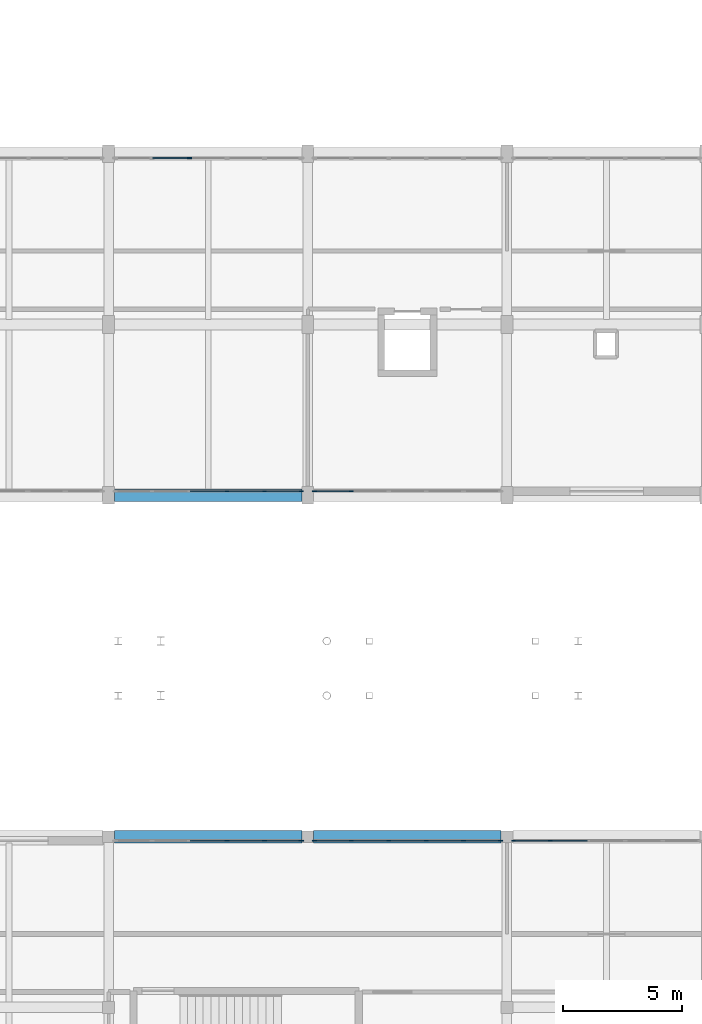
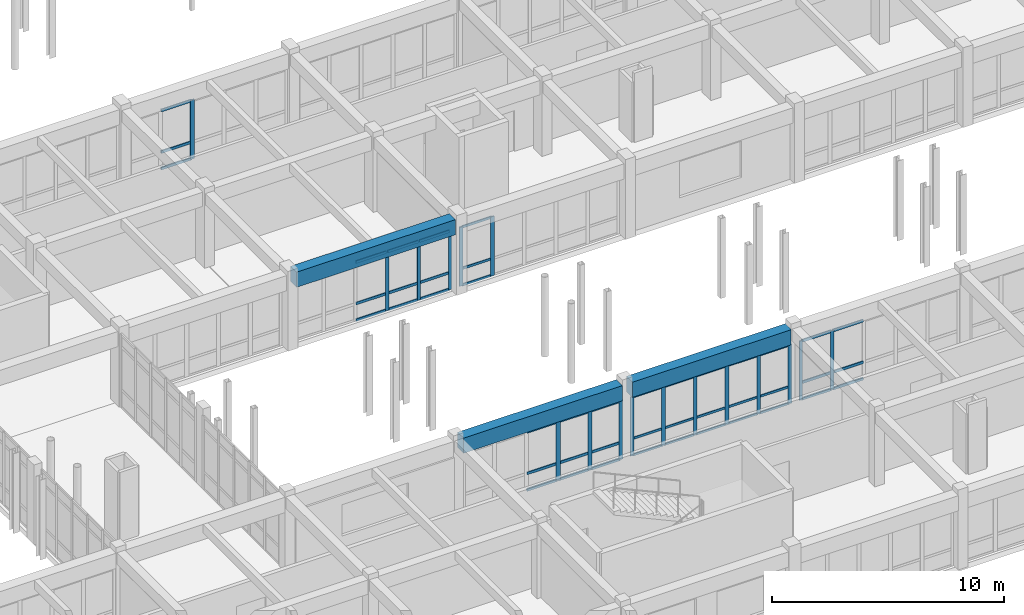
# One storey, part 69 of 147: 62 members, 3 beams, 6 elements without a shape of their own.
"""IFC4 building model written with IfcOpenShell, lengths in metres."""

from ifc_helpers import new_model, si_unit, direction, frame, origin, origin_2d, place, context, subcontext, project, spatial, rectangle, extrude, material, material_profile, profile_set, type_object, element, aggregate, save


model = new_model("IFC4")

# Units and contexts
model_context = context("Model", 3, precision=1e-05, world=origin(), true_north=direction((0.0, 1.0)))
body_context = subcontext(model_context, "Body", "Model", "MODEL_VIEW")
ifc_project = project(units=[si_unit("LENGTHUNIT", "METRE"), si_unit("AREAUNIT", "SQUARE_METRE"), si_unit("VOLUMEUNIT", "CUBIC_METRE"), si_unit("PLANEANGLEUNIT", "RADIAN"), si_unit("MASSUNIT", "GRAM", prefix="KILO")], contexts=[model_context])

# Site, building, storey
site_placement = place(None, origin())
site = spatial("IfcSite", under=ifc_project, at=site_placement, CompositionType="ELEMENT")
building_placement = place(site_placement, origin())
building = spatial("IfcBuilding", under=site, at=building_placement, Name="Malvenik Polytechnic", CompositionType="ELEMENT")
storey_placement = place(building_placement, frame((0.0, 0.0, 5.10009765625)))
storey = spatial("IfcBuildingStorey", under=building, at=storey_placement, Name="L01", CompositionType="ELEMENT", Elevation=5.10009765625)

# Curtain wall, members
ifc_material_1 = material(Name="Anodised aluminium 6060-T6", Category="aluminium")
curtain_wall_type = type_object("IfcCurtainWallType", Name="ARC-CW-CW-02", PredefinedType="NOTDEFINED", material=ifc_material_1)
curtain_wall_1_placement = place(storey_placement, origin())
curtain_wall_1 = element("IfcCurtainWall", 1, at=curtain_wall_1_placement, inside=storey, type_object=curtain_wall_type, Name="Unitised Curtain Wall CW-02 L01 #80", PredefinedType="NOTDEFINED")
ifc_material_2 = material(Name="Anodised aluminium", Category="aluminium")
ifc_material_profile_1 = material_profile(ifc_material_2, rectangle(XDim=0.06005859375, YDim=0.159912109375, at=origin_2d()), Name="ALU MULLION 60x160")
ifc_profile_set_1 = profile_set([ifc_material_profile_1], Name="Anodised aluminium")
member_type_1 = type_object("IfcMemberType", Name="ARC-CWM-160", PredefinedType="MULLION", material=ifc_profile_set_1)
member_1_placement = place(storey_placement, frame((100.52197265625, 79.3701171875, 0.0), z_axis=(0.0, 0.0, 1.0), x_axis=(0.0, -1.0, 0.0)))
member_1 = element("IfcMember", 2, at=member_1_placement, type_object=member_type_1, Name="CW-02 mullion 1", PredefinedType="MULLION", context=body_context, shape_type="SweptSolid", body=[
    extrude(rectangle(XDim=0.06005859375, YDim=0.159912109375, at=origin_2d()), origin(), (0.0, 0.0, 1.0), 3.10986328125),
])
member_2_placement = place(storey_placement, frame((98.97119140625, 79.3701171875, 0.0), z_axis=(0.0, 0.0, 1.0), x_axis=(0.0, -1.0, 0.0)))
member_2 = element("IfcMember", 3, at=member_2_placement, type_object=member_type_1, Name="CW-02 mullion 2", PredefinedType="MULLION", context=body_context, shape_type="SweptSolid", body=[
    extrude(rectangle(XDim=0.06005859375, YDim=0.159912109375, at=origin_2d()), origin(), (0.0, 0.0, 1.0), 3.10986328125),
])
member_3_placement = place(storey_placement, frame((97.390380859375, 79.3701171875, 0.0), z_axis=(0.0, 0.0, 1.0), x_axis=(0.0, -1.0, 0.0)))
member_3 = element("IfcMember", 4, at=member_3_placement, type_object=member_type_1, Name="CW-02 mullion 3", PredefinedType="MULLION", context=body_context, shape_type="SweptSolid", body=[
    extrude(rectangle(XDim=0.06005859375, YDim=0.159912109375, at=origin_2d()), origin(), (0.0, 0.0, 1.0), 3.10986328125),
])

curtain_wall_2_placement = place(storey_placement, origin())
curtain_wall_2 = element("IfcCurtainWall", 5, at=curtain_wall_2_placement, inside=storey, type_object=curtain_wall_type, Name="Unitised Curtain Wall CW-02 L01 #86", PredefinedType="NOTDEFINED")
member_4_placement = place(storey_placement, frame((109.47802734375, 64.6298828125, 0.0), z_axis=(0.0, 0.0, 1.0), x_axis=(0.0, 1.0, 0.0)))
member_4 = element("IfcMember", 6, at=member_4_placement, type_object=member_type_1, Name="CW-02 mullion 1", PredefinedType="MULLION", context=body_context, shape_type="SweptSolid", body=[
    extrude(rectangle(XDim=0.06005859375, YDim=0.159912109375, at=origin_2d()), origin(), (0.0, 0.0, 1.0), 3.10986328125),
])
member_5_placement = place(storey_placement, frame((111.02880859375, 64.6298828125, 0.0), z_axis=(0.0, 0.0, 1.0), x_axis=(0.0, 1.0, 0.0)))
member_5 = element("IfcMember", 7, at=member_5_placement, type_object=member_type_1, Name="CW-02 mullion 2", PredefinedType="MULLION", context=body_context, shape_type="SweptSolid", body=[
    extrude(rectangle(XDim=0.06005859375, YDim=0.159912109375, at=origin_2d()), origin(), (0.0, 0.0, 1.0), 3.10986328125),
])

curtain_wall_3_placement = place(storey_placement, origin())
curtain_wall_3 = element("IfcCurtainWall", 8, at=curtain_wall_3_placement, inside=storey, type_object=curtain_wall_type, Name="Unitised Curtain Wall CW-02 L01 #79", PredefinedType="NOTDEFINED")
ifc_material_profile_2 = material_profile(ifc_material_2, rectangle(XDim=0.06005859375, YDim=0.179931640625, at=origin_2d()), Name="ALU MULLION 60x180")
ifc_profile_set_2 = profile_set([ifc_material_profile_2], Name="Anodised aluminium")
member_type_2 = type_object("IfcMemberType", Name="ARC-CWM-180", PredefinedType="MULLION", material=ifc_profile_set_2)
member_6_placement = place(storey_placement, frame((102.62890625, 79.3701171875, 0.0), z_axis=(0.0, 0.0, 1.0), x_axis=(0.0, -1.0, 0.0)))
member_6 = element("IfcMember", 9, at=member_6_placement, type_object=member_type_2, Name="CW-02 mullion 5", PredefinedType="MULLION", context=body_context, shape_type="SweptSolid", body=[
    extrude(rectangle(XDim=0.06005859375, YDim=0.179931640625, at=origin_2d()), origin(), (0.0, 0.0, 1.0), 3.10986328125),
])
member_7_placement = place(storey_placement, frame((101.077880859375, 79.3701171875, 0.0), z_axis=(0.0, 0.0, 1.0), x_axis=(0.0, -1.0, 0.0)))
member_7 = element("IfcMember", 10, at=member_7_placement, type_object=member_type_2, Name="CW-02 mullion 6", PredefinedType="MULLION", context=body_context, shape_type="SweptSolid", body=[
    extrude(rectangle(XDim=0.06005859375, YDim=0.179931640625, at=origin_2d()), origin(), (0.0, 0.0, 1.0), 3.10986328125),
])

curtain_wall_4_placement = place(storey_placement, origin())
curtain_wall_4 = element("IfcCurtainWall", 11, at=curtain_wall_4_placement, inside=storey, type_object=curtain_wall_type, Name="Unitised Curtain Wall CW-02 L01 #85", PredefinedType="NOTDEFINED")
member_8_placement = place(storey_placement, frame((101.077880859375, 64.6298828125, 0.0), z_axis=(0.0, 0.0, 1.0), x_axis=(0.0, 1.0, 0.0)))
member_8 = element("IfcMember", 12, at=member_8_placement, type_object=member_type_2, Name="CW-02 mullion 1", PredefinedType="MULLION", context=body_context, shape_type="SweptSolid", body=[
    extrude(rectangle(XDim=0.06005859375, YDim=0.179931640625, at=origin_2d()), origin(), (0.0, 0.0, 1.0), 3.10986328125),
])
member_9_placement = place(storey_placement, frame((102.62890625, 64.6298828125, 0.0), z_axis=(0.0, 0.0, 1.0), x_axis=(0.0, 1.0, 0.0)))
member_9 = element("IfcMember", 13, at=member_9_placement, type_object=member_type_2, Name="CW-02 mullion 2", PredefinedType="MULLION", context=body_context, shape_type="SweptSolid", body=[
    extrude(rectangle(XDim=0.06005859375, YDim=0.179931640625, at=origin_2d()), origin(), (0.0, 0.0, 1.0), 3.10986328125),
])
member_10_placement = place(storey_placement, frame((104.209716796875, 64.6298828125, 0.0), z_axis=(0.0, 0.0, 1.0), x_axis=(0.0, 1.0, 0.0)))
member_10 = element("IfcMember", 14, at=member_10_placement, type_object=member_type_2, Name="CW-02 mullion 3", PredefinedType="MULLION", context=body_context, shape_type="SweptSolid", body=[
    extrude(rectangle(XDim=0.06005859375, YDim=0.179931640625, at=origin_2d()), origin(), (0.0, 0.0, 1.0), 3.10986328125),
])
member_11_placement = place(storey_placement, frame((105.790283203125, 64.6298828125, 0.0), z_axis=(0.0, 0.0, 1.0), x_axis=(0.0, 1.0, 0.0)))
member_11 = element("IfcMember", 15, at=member_11_placement, type_object=member_type_2, Name="CW-02 mullion 4", PredefinedType="MULLION", context=body_context, shape_type="SweptSolid", body=[
    extrude(rectangle(XDim=0.06005859375, YDim=0.179931640625, at=origin_2d()), origin(), (0.0, 0.0, 1.0), 3.10986328125),
])
member_12_placement = place(storey_placement, frame((107.37109375, 64.6298828125, 0.0), z_axis=(0.0, 0.0, 1.0), x_axis=(0.0, 1.0, 0.0)))
member_12 = element("IfcMember", 16, at=member_12_placement, type_object=member_type_2, Name="CW-02 mullion 5", PredefinedType="MULLION", context=body_context, shape_type="SweptSolid", body=[
    extrude(rectangle(XDim=0.06005859375, YDim=0.179931640625, at=origin_2d()), origin(), (0.0, 0.0, 1.0), 3.10986328125),
])
member_13_placement = place(storey_placement, frame((108.922119140625, 64.6298828125, 0.0), z_axis=(0.0, 0.0, 1.0), x_axis=(0.0, 1.0, 0.0)))
member_13 = element("IfcMember", 17, at=member_13_placement, type_object=member_type_2, Name="CW-02 mullion 6", PredefinedType="MULLION", context=body_context, shape_type="SweptSolid", body=[
    extrude(rectangle(XDim=0.06005859375, YDim=0.179931640625, at=origin_2d()), origin(), (0.0, 0.0, 1.0), 3.10986328125),
])

# Curtain wall, member
curtain_wall_5_placement = place(storey_placement, origin())
curtain_wall_5 = element("IfcCurtainWall", 18, at=curtain_wall_5_placement, inside=storey, type_object=curtain_wall_type, Name="Unitised Curtain Wall CW-02 L01 #60", PredefinedType="NOTDEFINED")
ifc_material_profile_3 = material_profile(ifc_material_2, rectangle(XDim=0.06005859375, YDim=0.199951171875, at=origin_2d()), Name="ALU MULLION 60x200")
ifc_profile_set_3 = profile_set([ifc_material_profile_3], Name="Anodised aluminium")
member_type_3 = type_object("IfcMemberType", Name="ARC-CWM-200", PredefinedType="MULLION", material=ifc_profile_set_3)
member_14_placement = place(storey_placement, frame((95.8095703125, 93.429931640625, 0.0), z_axis=(0.0, 0.0, 1.0), x_axis=(0.0, 1.0, 0.0)))
member_14 = element("IfcMember", 19, at=member_14_placement, type_object=member_type_3, Name="CW-02 mullion 3", PredefinedType="MULLION", context=body_context, shape_type="SweptSolid", body=[
    extrude(rectangle(XDim=0.06005859375, YDim=0.199951171875, at=origin_2d()), origin(), (0.0, 0.0, 1.0), 3.10986328125),
])

# Curtain wall, members
curtain_wall_6_placement = place(storey_placement, origin())
curtain_wall_6 = element("IfcCurtainWall", 20, at=curtain_wall_6_placement, inside=storey, type_object=curtain_wall_type, Name="Unitised Curtain Wall CW-02 L01 #84", PredefinedType="NOTDEFINED")
member_15_placement = place(storey_placement, frame((97.390380859375, 64.6298828125, 0.0), z_axis=(0.0, 0.0, 1.0), x_axis=(0.0, 1.0, 0.0)))
member_15 = element("IfcMember", 21, at=member_15_placement, type_object=member_type_3, Name="CW-02 mullion 4", PredefinedType="MULLION", context=body_context, shape_type="SweptSolid", body=[
    extrude(rectangle(XDim=0.06005859375, YDim=0.199951171875, at=origin_2d()), origin(), (0.0, 0.0, 1.0), 3.10986328125),
])
member_16_placement = place(storey_placement, frame((98.97119140625, 64.6298828125, 0.0), z_axis=(0.0, 0.0, 1.0), x_axis=(0.0, 1.0, 0.0)))
member_16 = element("IfcMember", 22, at=member_16_placement, type_object=member_type_3, Name="CW-02 mullion 5", PredefinedType="MULLION", context=body_context, shape_type="SweptSolid", body=[
    extrude(rectangle(XDim=0.06005859375, YDim=0.199951171875, at=origin_2d()), origin(), (0.0, 0.0, 1.0), 3.10986328125),
])
member_17_placement = place(storey_placement, frame((100.52197265625, 64.6298828125, 0.0), z_axis=(0.0, 0.0, 1.0), x_axis=(0.0, 1.0, 0.0)))
member_17 = element("IfcMember", 23, at=member_17_placement, type_object=member_type_3, Name="CW-02 mullion 6", PredefinedType="MULLION", context=body_context, shape_type="SweptSolid", body=[
    extrude(rectangle(XDim=0.06005859375, YDim=0.199951171875, at=origin_2d()), origin(), (0.0, 0.0, 1.0), 3.10986328125),
])

# Member
ifc_material_profile_4 = material_profile(ifc_material_2, rectangle(XDim=0.06005859375, YDim=0.1201171875, at=origin_2d()), Name="ALU TRANSOM 60x120")
ifc_profile_set_4 = profile_set([ifc_material_profile_4], Name="Anodised aluminium")
member_type_4 = type_object("IfcMemberType", Name="ARC-CWT-120", PredefinedType="USERDEFINED", material=ifc_profile_set_4)
member_18_placement = place(storey_placement, frame((102.598876953125, 79.3701171875, 0.02978515625), z_axis=(-1.0, 0.0, 0.0), x_axis=(0.0, -1.0, 0.0)))
member_18 = element("IfcMember", 24, at=member_18_placement, type_object=member_type_4, Name="CW-02 transom 5.1", ObjectType="TRANSOM", PredefinedType="USERDEFINED", context=body_context, shape_type="SweptSolid", body=[
    extrude(rectangle(XDim=0.06005859375, YDim=0.1201171875, at=origin_2d()), origin(), (0.0, 0.0, 1.0), 1.490966796875),
])

member_19_placement = place(storey_placement, frame((102.598876953125, 79.3701171875, 0.89990234375), z_axis=(-1.0, 0.0, 0.0), x_axis=(0.0, -1.0, 0.0)))
member_19 = element("IfcMember", 25, at=member_19_placement, type_object=member_type_4, Name="CW-02 transom 5.2", ObjectType="TRANSOM", PredefinedType="USERDEFINED", context=body_context, shape_type="SweptSolid", body=[
    extrude(rectangle(XDim=0.06005859375, YDim=0.1201171875, at=origin_2d()), origin(), (0.0, 0.0, 1.0), 1.490966796875),
])

member_20_placement = place(storey_placement, frame((102.598876953125, 79.3701171875, 3.079833984375), z_axis=(-1.0, 0.0, 0.0), x_axis=(0.0, -1.0, 0.0)))
member_20 = element("IfcMember", 26, at=member_20_placement, type_object=member_type_4, Name="CW-02 transom 5.3", ObjectType="TRANSOM", PredefinedType="USERDEFINED", context=body_context, shape_type="SweptSolid", body=[
    extrude(rectangle(XDim=0.06005859375, YDim=0.1201171875, at=origin_2d()), origin(), (0.0, 0.0, 1.0), 1.490966796875),
])

aggregate(curtain_wall_3, [member_6, member_7, member_18, member_19, member_20])

member_21_placement = place(storey_placement, frame((101.10791015625, 64.6298828125, 0.02978515625), z_axis=(1.0, 0.0, 0.0), x_axis=(0.0, 1.0, 0.0)))
member_21 = element("IfcMember", 27, at=member_21_placement, type_object=member_type_4, Name="CW-02 transom 1.1", ObjectType="TRANSOM", PredefinedType="USERDEFINED", context=body_context, shape_type="SweptSolid", body=[
    extrude(rectangle(XDim=0.06005859375, YDim=0.1201171875, at=origin_2d()), origin(), (0.0, 0.0, 1.0), 1.490966796875),
])

member_22_placement = place(storey_placement, frame((101.10791015625, 64.6298828125, 0.89990234375), z_axis=(1.0, 0.0, 0.0), x_axis=(0.0, 1.0, 0.0)))
member_22 = element("IfcMember", 28, at=member_22_placement, type_object=member_type_4, Name="CW-02 transom 1.2", ObjectType="TRANSOM", PredefinedType="USERDEFINED", context=body_context, shape_type="SweptSolid", body=[
    extrude(rectangle(XDim=0.06005859375, YDim=0.1201171875, at=origin_2d()), origin(), (0.0, 0.0, 1.0), 1.490966796875),
])

member_23_placement = place(storey_placement, frame((101.10791015625, 64.6298828125, 3.079833984375), z_axis=(1.0, 0.0, 0.0), x_axis=(0.0, 1.0, 0.0)))
member_23 = element("IfcMember", 29, at=member_23_placement, type_object=member_type_4, Name="CW-02 transom 1.3", ObjectType="TRANSOM", PredefinedType="USERDEFINED", context=body_context, shape_type="SweptSolid", body=[
    extrude(rectangle(XDim=0.06005859375, YDim=0.1201171875, at=origin_2d()), origin(), (0.0, 0.0, 1.0), 1.490966796875),
])

member_24_placement = place(storey_placement, frame((102.65869140625, 64.6298828125, 0.02978515625), z_axis=(1.0, 0.0, 0.0), x_axis=(0.0, 1.0, 0.0)))
member_24 = element("IfcMember", 30, at=member_24_placement, type_object=member_type_4, Name="CW-02 transom 2.1", ObjectType="TRANSOM", PredefinedType="USERDEFINED", context=body_context, shape_type="SweptSolid", body=[
    extrude(rectangle(XDim=0.06005859375, YDim=0.1201171875, at=origin_2d()), origin(), (0.0, 0.0, 1.0), 1.52099609375),
])

member_25_placement = place(storey_placement, frame((102.65869140625, 64.6298828125, 0.89990234375), z_axis=(1.0, 0.0, 0.0), x_axis=(0.0, 1.0, 0.0)))
member_25 = element("IfcMember", 31, at=member_25_placement, type_object=member_type_4, Name="CW-02 transom 2.2", ObjectType="TRANSOM", PredefinedType="USERDEFINED", context=body_context, shape_type="SweptSolid", body=[
    extrude(rectangle(XDim=0.06005859375, YDim=0.1201171875, at=origin_2d()), origin(), (0.0, 0.0, 1.0), 1.52099609375),
])

member_26_placement = place(storey_placement, frame((102.65869140625, 64.6298828125, 3.079833984375), z_axis=(1.0, 0.0, 0.0), x_axis=(0.0, 1.0, 0.0)))
member_26 = element("IfcMember", 32, at=member_26_placement, type_object=member_type_4, Name="CW-02 transom 2.3", ObjectType="TRANSOM", PredefinedType="USERDEFINED", context=body_context, shape_type="SweptSolid", body=[
    extrude(rectangle(XDim=0.06005859375, YDim=0.1201171875, at=origin_2d()), origin(), (0.0, 0.0, 1.0), 1.52099609375),
])

member_27_placement = place(storey_placement, frame((104.239501953125, 64.6298828125, 0.02978515625), z_axis=(1.0, 0.0, 0.0), x_axis=(0.0, 1.0, 0.0)))
member_27 = element("IfcMember", 33, at=member_27_placement, type_object=member_type_4, Name="CW-02 transom 3.1", ObjectType="TRANSOM", PredefinedType="USERDEFINED", context=body_context, shape_type="SweptSolid", body=[
    extrude(rectangle(XDim=0.06005859375, YDim=0.1201171875, at=origin_2d()), origin(), (0.0, 0.0, 1.0), 1.52099609375),
])

member_28_placement = place(storey_placement, frame((104.239501953125, 64.6298828125, 0.89990234375), z_axis=(1.0, 0.0, 0.0), x_axis=(0.0, 1.0, 0.0)))
member_28 = element("IfcMember", 34, at=member_28_placement, type_object=member_type_4, Name="CW-02 transom 3.2", ObjectType="TRANSOM", PredefinedType="USERDEFINED", context=body_context, shape_type="SweptSolid", body=[
    extrude(rectangle(XDim=0.06005859375, YDim=0.1201171875, at=origin_2d()), origin(), (0.0, 0.0, 1.0), 1.52099609375),
])

member_29_placement = place(storey_placement, frame((104.239501953125, 64.6298828125, 3.079833984375), z_axis=(1.0, 0.0, 0.0), x_axis=(0.0, 1.0, 0.0)))
member_29 = element("IfcMember", 35, at=member_29_placement, type_object=member_type_4, Name="CW-02 transom 3.3", ObjectType="TRANSOM", PredefinedType="USERDEFINED", context=body_context, shape_type="SweptSolid", body=[
    extrude(rectangle(XDim=0.06005859375, YDim=0.1201171875, at=origin_2d()), origin(), (0.0, 0.0, 1.0), 1.52099609375),
])

member_30_placement = place(storey_placement, frame((105.8203125, 64.6298828125, 0.02978515625), z_axis=(1.0, 0.0, 0.0), x_axis=(0.0, 1.0, 0.0)))
member_30 = element("IfcMember", 36, at=member_30_placement, type_object=member_type_4, Name="CW-02 transom 4.1", ObjectType="TRANSOM", PredefinedType="USERDEFINED", context=body_context, shape_type="SweptSolid", body=[
    extrude(rectangle(XDim=0.06005859375, YDim=0.1201171875, at=origin_2d()), origin(), (0.0, 0.0, 1.0), 1.52099609375),
])

member_31_placement = place(storey_placement, frame((105.8203125, 64.6298828125, 0.89990234375), z_axis=(1.0, 0.0, 0.0), x_axis=(0.0, 1.0, 0.0)))
member_31 = element("IfcMember", 37, at=member_31_placement, type_object=member_type_4, Name="CW-02 transom 4.2", ObjectType="TRANSOM", PredefinedType="USERDEFINED", context=body_context, shape_type="SweptSolid", body=[
    extrude(rectangle(XDim=0.06005859375, YDim=0.1201171875, at=origin_2d()), origin(), (0.0, 0.0, 1.0), 1.52099609375),
])

member_32_placement = place(storey_placement, frame((105.8203125, 64.6298828125, 3.079833984375), z_axis=(1.0, 0.0, 0.0), x_axis=(0.0, 1.0, 0.0)))
member_32 = element("IfcMember", 38, at=member_32_placement, type_object=member_type_4, Name="CW-02 transom 4.3", ObjectType="TRANSOM", PredefinedType="USERDEFINED", context=body_context, shape_type="SweptSolid", body=[
    extrude(rectangle(XDim=0.06005859375, YDim=0.1201171875, at=origin_2d()), origin(), (0.0, 0.0, 1.0), 1.52099609375),
])

member_33_placement = place(storey_placement, frame((107.401123046875, 64.6298828125, 0.02978515625), z_axis=(1.0, 0.0, 0.0), x_axis=(0.0, 1.0, 0.0)))
member_33 = element("IfcMember", 39, at=member_33_placement, type_object=member_type_4, Name="CW-02 transom 5.1", ObjectType="TRANSOM", PredefinedType="USERDEFINED", context=body_context, shape_type="SweptSolid", body=[
    extrude(rectangle(XDim=0.06005859375, YDim=0.1201171875, at=origin_2d()), origin(), (0.0, 0.0, 1.0), 1.490966796875),
])

member_34_placement = place(storey_placement, frame((107.401123046875, 64.6298828125, 0.89990234375), z_axis=(1.0, 0.0, 0.0), x_axis=(0.0, 1.0, 0.0)))
member_34 = element("IfcMember", 40, at=member_34_placement, type_object=member_type_4, Name="CW-02 transom 5.2", ObjectType="TRANSOM", PredefinedType="USERDEFINED", context=body_context, shape_type="SweptSolid", body=[
    extrude(rectangle(XDim=0.06005859375, YDim=0.1201171875, at=origin_2d()), origin(), (0.0, 0.0, 1.0), 1.490966796875),
])

member_35_placement = place(storey_placement, frame((107.401123046875, 64.6298828125, 3.079833984375), z_axis=(1.0, 0.0, 0.0), x_axis=(0.0, 1.0, 0.0)))
member_35 = element("IfcMember", 41, at=member_35_placement, type_object=member_type_4, Name="CW-02 transom 5.3", ObjectType="TRANSOM", PredefinedType="USERDEFINED", context=body_context, shape_type="SweptSolid", body=[
    extrude(rectangle(XDim=0.06005859375, YDim=0.1201171875, at=origin_2d()), origin(), (0.0, 0.0, 1.0), 1.490966796875),
])

aggregate(curtain_wall_4, [member_8, member_9, member_10, member_11, member_12, member_13, member_21, member_22, member_23, member_24, member_25, member_26, member_27, member_28, member_29, member_30, member_31, member_32, member_33, member_34, member_35])

ifc_material_profile_5 = material_profile(ifc_material_2, rectangle(XDim=0.06005859375, YDim=0.139892578125, at=origin_2d()), Name="ALU TRANSOM 60x140")
ifc_profile_set_5 = profile_set([ifc_material_profile_5], Name="Anodised aluminium")
member_type_5 = type_object("IfcMemberType", Name="ARC-CWT-140", PredefinedType="USERDEFINED", material=ifc_profile_set_5)
member_36_placement = place(storey_placement, frame((94.2587890625, 93.429931640625, 0.02978515625), z_axis=(1.0, 0.0, 0.0), x_axis=(0.0, 1.0, 0.0)))
member_36 = element("IfcMember", 42, at=member_36_placement, type_object=member_type_5, Name="CW-02 transom 2.1", ObjectType="TRANSOM", PredefinedType="USERDEFINED", context=body_context, shape_type="SweptSolid", body=[
    extrude(rectangle(XDim=0.06005859375, YDim=0.139892578125, at=origin_2d()), origin(), (0.0, 0.0, 1.0), 1.520751953125),
])

member_37_placement = place(storey_placement, frame((94.2587890625, 93.429931640625, 0.89990234375), z_axis=(1.0, 0.0, 0.0), x_axis=(0.0, 1.0, 0.0)))
member_37 = element("IfcMember", 43, at=member_37_placement, type_object=member_type_5, Name="CW-02 transom 2.2", ObjectType="TRANSOM", PredefinedType="USERDEFINED", context=body_context, shape_type="SweptSolid", body=[
    extrude(rectangle(XDim=0.06005859375, YDim=0.139892578125, at=origin_2d()), origin(), (0.0, 0.0, 1.0), 1.520751953125),
])

member_38_placement = place(storey_placement, frame((94.2587890625, 93.429931640625, 3.079833984375), z_axis=(1.0, 0.0, 0.0), x_axis=(0.0, 1.0, 0.0)))
member_38 = element("IfcMember", 44, at=member_38_placement, type_object=member_type_5, Name="CW-02 transom 2.3", ObjectType="TRANSOM", PredefinedType="USERDEFINED", context=body_context, shape_type="SweptSolid", body=[
    extrude(rectangle(XDim=0.06005859375, YDim=0.139892578125, at=origin_2d()), origin(), (0.0, 0.0, 1.0), 1.520751953125),
])

aggregate(curtain_wall_5, [member_14, member_36, member_37, member_38])

member_39_placement = place(storey_placement, frame((100.491943359375, 79.3701171875, 0.02978515625), z_axis=(-1.0, 0.0, 0.0), x_axis=(0.0, -1.0, 0.0)))
member_39 = element("IfcMember", 45, at=member_39_placement, type_object=member_type_5, Name="CW-02 transom 1.1", ObjectType="TRANSOM", PredefinedType="USERDEFINED", context=body_context, shape_type="SweptSolid", body=[
    extrude(rectangle(XDim=0.06005859375, YDim=0.139892578125, at=origin_2d()), origin(), (0.0, 0.0, 1.0), 1.49072265625),
])

member_40_placement = place(storey_placement, frame((100.491943359375, 79.3701171875, 0.89990234375), z_axis=(-1.0, 0.0, 0.0), x_axis=(0.0, -1.0, 0.0)))
member_40 = element("IfcMember", 46, at=member_40_placement, type_object=member_type_5, Name="CW-02 transom 1.2", ObjectType="TRANSOM", PredefinedType="USERDEFINED", context=body_context, shape_type="SweptSolid", body=[
    extrude(rectangle(XDim=0.06005859375, YDim=0.139892578125, at=origin_2d()), origin(), (0.0, 0.0, 1.0), 1.49072265625),
])

member_41_placement = place(storey_placement, frame((100.491943359375, 79.3701171875, 3.079833984375), z_axis=(-1.0, 0.0, 0.0), x_axis=(0.0, -1.0, 0.0)))
member_41 = element("IfcMember", 47, at=member_41_placement, type_object=member_type_5, Name="CW-02 transom 1.3", ObjectType="TRANSOM", PredefinedType="USERDEFINED", context=body_context, shape_type="SweptSolid", body=[
    extrude(rectangle(XDim=0.06005859375, YDim=0.139892578125, at=origin_2d()), origin(), (0.0, 0.0, 1.0), 1.49072265625),
])

member_42_placement = place(storey_placement, frame((98.941162109375, 79.3701171875, 0.02978515625), z_axis=(-1.0, 0.0, 0.0), x_axis=(0.0, -1.0, 0.0)))
member_42 = element("IfcMember", 48, at=member_42_placement, type_object=member_type_5, Name="CW-02 transom 2.1", ObjectType="TRANSOM", PredefinedType="USERDEFINED", context=body_context, shape_type="SweptSolid", body=[
    extrude(rectangle(XDim=0.06005859375, YDim=0.139892578125, at=origin_2d()), origin(), (0.0, 0.0, 1.0), 1.520751953125),
])

member_43_placement = place(storey_placement, frame((98.941162109375, 79.3701171875, 0.89990234375), z_axis=(-1.0, 0.0, 0.0), x_axis=(0.0, -1.0, 0.0)))
member_43 = element("IfcMember", 49, at=member_43_placement, type_object=member_type_5, Name="CW-02 transom 2.2", ObjectType="TRANSOM", PredefinedType="USERDEFINED", context=body_context, shape_type="SweptSolid", body=[
    extrude(rectangle(XDim=0.06005859375, YDim=0.139892578125, at=origin_2d()), origin(), (0.0, 0.0, 1.0), 1.520751953125),
])

member_44_placement = place(storey_placement, frame((98.941162109375, 79.3701171875, 3.079833984375), z_axis=(-1.0, 0.0, 0.0), x_axis=(0.0, -1.0, 0.0)))
member_44 = element("IfcMember", 50, at=member_44_placement, type_object=member_type_5, Name="CW-02 transom 2.3", ObjectType="TRANSOM", PredefinedType="USERDEFINED", context=body_context, shape_type="SweptSolid", body=[
    extrude(rectangle(XDim=0.06005859375, YDim=0.139892578125, at=origin_2d()), origin(), (0.0, 0.0, 1.0), 1.520751953125),
])

member_45_placement = place(storey_placement, frame((97.3603515625, 79.3701171875, 0.02978515625), z_axis=(-1.0, 0.0, 0.0), x_axis=(0.0, -1.0, 0.0)))
member_45 = element("IfcMember", 51, at=member_45_placement, type_object=member_type_5, Name="CW-02 transom 3.1", ObjectType="TRANSOM", PredefinedType="USERDEFINED", context=body_context, shape_type="SweptSolid", body=[
    extrude(rectangle(XDim=0.06005859375, YDim=0.139892578125, at=origin_2d()), origin(), (0.0, 0.0, 1.0), 1.520751953125),
])

member_46_placement = place(storey_placement, frame((97.3603515625, 79.3701171875, 0.89990234375), z_axis=(-1.0, 0.0, 0.0), x_axis=(0.0, -1.0, 0.0)))
member_46 = element("IfcMember", 52, at=member_46_placement, type_object=member_type_5, Name="CW-02 transom 3.2", ObjectType="TRANSOM", PredefinedType="USERDEFINED", context=body_context, shape_type="SweptSolid", body=[
    extrude(rectangle(XDim=0.06005859375, YDim=0.139892578125, at=origin_2d()), origin(), (0.0, 0.0, 1.0), 1.520751953125),
])

member_47_placement = place(storey_placement, frame((97.3603515625, 79.3701171875, 3.079833984375), z_axis=(-1.0, 0.0, 0.0), x_axis=(0.0, -1.0, 0.0)))
member_47 = element("IfcMember", 53, at=member_47_placement, type_object=member_type_5, Name="CW-02 transom 3.3", ObjectType="TRANSOM", PredefinedType="USERDEFINED", context=body_context, shape_type="SweptSolid", body=[
    extrude(rectangle(XDim=0.06005859375, YDim=0.139892578125, at=origin_2d()), origin(), (0.0, 0.0, 1.0), 1.520751953125),
])

aggregate(curtain_wall_1, [member_1, member_2, member_3, member_39, member_40, member_41, member_42, member_43, member_44, member_45, member_46, member_47])

member_48_placement = place(storey_placement, frame((95.839599609375, 64.6298828125, 0.02978515625), z_axis=(1.0, 0.0, 0.0), x_axis=(0.0, 1.0, 0.0)))
member_48 = element("IfcMember", 54, at=member_48_placement, type_object=member_type_5, Name="CW-02 transom 3.1", ObjectType="TRANSOM", PredefinedType="USERDEFINED", context=body_context, shape_type="SweptSolid", body=[
    extrude(rectangle(XDim=0.06005859375, YDim=0.139892578125, at=origin_2d()), origin(), (0.0, 0.0, 1.0), 1.520751953125),
])

member_49_placement = place(storey_placement, frame((95.839599609375, 64.6298828125, 0.89990234375), z_axis=(1.0, 0.0, 0.0), x_axis=(0.0, 1.0, 0.0)))
member_49 = element("IfcMember", 55, at=member_49_placement, type_object=member_type_5, Name="CW-02 transom 3.2", ObjectType="TRANSOM", PredefinedType="USERDEFINED", context=body_context, shape_type="SweptSolid", body=[
    extrude(rectangle(XDim=0.06005859375, YDim=0.139892578125, at=origin_2d()), origin(), (0.0, 0.0, 1.0), 1.520751953125),
])

member_50_placement = place(storey_placement, frame((95.839599609375, 64.6298828125, 3.079833984375), z_axis=(1.0, 0.0, 0.0), x_axis=(0.0, 1.0, 0.0)))
member_50 = element("IfcMember", 56, at=member_50_placement, type_object=member_type_5, Name="CW-02 transom 3.3", ObjectType="TRANSOM", PredefinedType="USERDEFINED", context=body_context, shape_type="SweptSolid", body=[
    extrude(rectangle(XDim=0.06005859375, YDim=0.139892578125, at=origin_2d()), origin(), (0.0, 0.0, 1.0), 1.520751953125),
])

member_51_placement = place(storey_placement, frame((97.42041015625, 64.6298828125, 0.02978515625), z_axis=(1.0, 0.0, 0.0), x_axis=(0.0, 1.0, 0.0)))
member_51 = element("IfcMember", 57, at=member_51_placement, type_object=member_type_5, Name="CW-02 transom 4.1", ObjectType="TRANSOM", PredefinedType="USERDEFINED", context=body_context, shape_type="SweptSolid", body=[
    extrude(rectangle(XDim=0.06005859375, YDim=0.139892578125, at=origin_2d()), origin(), (0.0, 0.0, 1.0), 1.520751953125),
])

member_52_placement = place(storey_placement, frame((97.42041015625, 64.6298828125, 0.89990234375), z_axis=(1.0, 0.0, 0.0), x_axis=(0.0, 1.0, 0.0)))
member_52 = element("IfcMember", 58, at=member_52_placement, type_object=member_type_5, Name="CW-02 transom 4.2", ObjectType="TRANSOM", PredefinedType="USERDEFINED", context=body_context, shape_type="SweptSolid", body=[
    extrude(rectangle(XDim=0.06005859375, YDim=0.139892578125, at=origin_2d()), origin(), (0.0, 0.0, 1.0), 1.520751953125),
])

member_53_placement = place(storey_placement, frame((97.42041015625, 64.6298828125, 3.079833984375), z_axis=(1.0, 0.0, 0.0), x_axis=(0.0, 1.0, 0.0)))
member_53 = element("IfcMember", 59, at=member_53_placement, type_object=member_type_5, Name="CW-02 transom 4.3", ObjectType="TRANSOM", PredefinedType="USERDEFINED", context=body_context, shape_type="SweptSolid", body=[
    extrude(rectangle(XDim=0.06005859375, YDim=0.139892578125, at=origin_2d()), origin(), (0.0, 0.0, 1.0), 1.520751953125),
])

member_54_placement = place(storey_placement, frame((99.001220703125, 64.6298828125, 0.02978515625), z_axis=(1.0, 0.0, 0.0), x_axis=(0.0, 1.0, 0.0)))
member_54 = element("IfcMember", 60, at=member_54_placement, type_object=member_type_5, Name="CW-02 transom 5.1", ObjectType="TRANSOM", PredefinedType="USERDEFINED", context=body_context, shape_type="SweptSolid", body=[
    extrude(rectangle(XDim=0.06005859375, YDim=0.139892578125, at=origin_2d()), origin(), (0.0, 0.0, 1.0), 1.49072265625),
])

member_55_placement = place(storey_placement, frame((99.001220703125, 64.6298828125, 0.89990234375), z_axis=(1.0, 0.0, 0.0), x_axis=(0.0, 1.0, 0.0)))
member_55 = element("IfcMember", 61, at=member_55_placement, type_object=member_type_5, Name="CW-02 transom 5.2", ObjectType="TRANSOM", PredefinedType="USERDEFINED", context=body_context, shape_type="SweptSolid", body=[
    extrude(rectangle(XDim=0.06005859375, YDim=0.139892578125, at=origin_2d()), origin(), (0.0, 0.0, 1.0), 1.49072265625),
])

member_56_placement = place(storey_placement, frame((99.001220703125, 64.6298828125, 3.079833984375), z_axis=(1.0, 0.0, 0.0), x_axis=(0.0, 1.0, 0.0)))
member_56 = element("IfcMember", 62, at=member_56_placement, type_object=member_type_5, Name="CW-02 transom 5.3", ObjectType="TRANSOM", PredefinedType="USERDEFINED", context=body_context, shape_type="SweptSolid", body=[
    extrude(rectangle(XDim=0.06005859375, YDim=0.139892578125, at=origin_2d()), origin(), (0.0, 0.0, 1.0), 1.49072265625),
])

aggregate(curtain_wall_6, [member_15, member_16, member_17, member_48, member_49, member_50, member_51, member_52, member_53, member_54, member_55, member_56])

member_57_placement = place(storey_placement, frame((109.508056640625, 64.6298828125, 0.02978515625), z_axis=(1.0, 0.0, 0.0), x_axis=(0.0, 1.0, 0.0)))
member_57 = element("IfcMember", 63, at=member_57_placement, type_object=member_type_5, Name="CW-02 transom 1.1", ObjectType="TRANSOM", PredefinedType="USERDEFINED", context=body_context, shape_type="SweptSolid", body=[
    extrude(rectangle(XDim=0.06005859375, YDim=0.139892578125, at=origin_2d()), origin(), (0.0, 0.0, 1.0), 1.49072265625),
])

member_58_placement = place(storey_placement, frame((109.508056640625, 64.6298828125, 0.89990234375), z_axis=(1.0, 0.0, 0.0), x_axis=(0.0, 1.0, 0.0)))
member_58 = element("IfcMember", 64, at=member_58_placement, type_object=member_type_5, Name="CW-02 transom 1.2", ObjectType="TRANSOM", PredefinedType="USERDEFINED", context=body_context, shape_type="SweptSolid", body=[
    extrude(rectangle(XDim=0.06005859375, YDim=0.139892578125, at=origin_2d()), origin(), (0.0, 0.0, 1.0), 1.49072265625),
])

member_59_placement = place(storey_placement, frame((109.508056640625, 64.6298828125, 3.079833984375), z_axis=(1.0, 0.0, 0.0), x_axis=(0.0, 1.0, 0.0)))
member_59 = element("IfcMember", 65, at=member_59_placement, type_object=member_type_5, Name="CW-02 transom 1.3", ObjectType="TRANSOM", PredefinedType="USERDEFINED", context=body_context, shape_type="SweptSolid", body=[
    extrude(rectangle(XDim=0.06005859375, YDim=0.139892578125, at=origin_2d()), origin(), (0.0, 0.0, 1.0), 1.49072265625),
])

member_60_placement = place(storey_placement, frame((111.058837890625, 64.6298828125, 0.02978515625), z_axis=(1.0, 0.0, 0.0), x_axis=(0.0, 1.0, 0.0)))
member_60 = element("IfcMember", 66, at=member_60_placement, type_object=member_type_5, Name="CW-02 transom 2.1", ObjectType="TRANSOM", PredefinedType="USERDEFINED", context=body_context, shape_type="SweptSolid", body=[
    extrude(rectangle(XDim=0.06005859375, YDim=0.139892578125, at=origin_2d()), origin(), (0.0, 0.0, 1.0), 1.520751953125),
])

member_61_placement = place(storey_placement, frame((111.058837890625, 64.6298828125, 0.89990234375), z_axis=(1.0, 0.0, 0.0), x_axis=(0.0, 1.0, 0.0)))
member_61 = element("IfcMember", 67, at=member_61_placement, type_object=member_type_5, Name="CW-02 transom 2.2", ObjectType="TRANSOM", PredefinedType="USERDEFINED", context=body_context, shape_type="SweptSolid", body=[
    extrude(rectangle(XDim=0.06005859375, YDim=0.139892578125, at=origin_2d()), origin(), (0.0, 0.0, 1.0), 1.520751953125),
])

member_62_placement = place(storey_placement, frame((111.058837890625, 64.6298828125, 3.079833984375), z_axis=(1.0, 0.0, 0.0), x_axis=(0.0, 1.0, 0.0)))
member_62 = element("IfcMember", 68, at=member_62_placement, type_object=member_type_5, Name="CW-02 transom 2.3", ObjectType="TRANSOM", PredefinedType="USERDEFINED", context=body_context, shape_type="SweptSolid", body=[
    extrude(rectangle(XDim=0.06005859375, YDim=0.139892578125, at=origin_2d()), origin(), (0.0, 0.0, 1.0), 1.520751953125),
])

aggregate(curtain_wall_2, [member_4, member_5, member_57, member_58, member_59, member_60, member_61, member_62])

# Beams
ifc_material_3 = material(Name="Precast concrete C40/50", Category="concrete")
ifc_material_profile_6 = material_profile(ifc_material_3, rectangle(XDim=0.52001953125, YDim=0.800048828125, at=origin_2d()), Name="PC SPN 520x800")
ifc_profile_set_6 = profile_set([ifc_material_profile_6], Name="Precast concrete C40/50")
beam_type = type_object("IfcBeamType", Name="STR-BM-SP-01", PredefinedType="SPANDREL", material=ifc_profile_set_6)
beam_1_placement = place(storey_placement, frame((92.64794921875, 64.800048828125, 3.52001953125), z_axis=(1.0, 0.0, 0.0), x_axis=(0.0, 1.0, 0.0)))
element("IfcBeam", 69, at=beam_1_placement, inside=storey, type_object=beam_type, Name="Primary Beam SP-01 L01 #1036", PredefinedType="SPANDREL", context=body_context, shape_type="SweptSolid", body=[
    extrude(rectangle(XDim=0.52001953125, YDim=0.800048828125, at=origin_2d()), origin(), (0.0, 0.0, 1.0), 7.904052734375),
])
beam_2_placement = place(storey_placement, frame((101.048095703125, 64.800048828125, 3.52001953125), z_axis=(1.0, 0.0, 0.0), x_axis=(0.0, 1.0, 0.0)))
element("IfcBeam", 70, at=beam_2_placement, inside=storey, type_object=beam_type, Name="Primary Beam SP-01 L01 #1037", PredefinedType="SPANDREL", context=body_context, shape_type="SweptSolid", body=[
    extrude(rectangle(XDim=0.52001953125, YDim=0.800048828125, at=origin_2d()), origin(), (0.0, 0.0, 1.0), 7.90380859375),
])
beam_3_placement = place(storey_placement, frame((92.64794921875, 79.199951171875, 3.52001953125), z_axis=(1.0, 0.0, 0.0), x_axis=(0.0, 1.0, 0.0)))
element("IfcBeam", 71, at=beam_3_placement, inside=storey, type_object=beam_type, Name="Primary Beam SP-01 L01 #1052", PredefinedType="SPANDREL", context=body_context, shape_type="SweptSolid", body=[
    extrude(rectangle(XDim=0.52001953125, YDim=0.800048828125, at=origin_2d()), origin(), (0.0, 0.0, 1.0), 7.904052734375),
])

save(model, "model.ifc")
